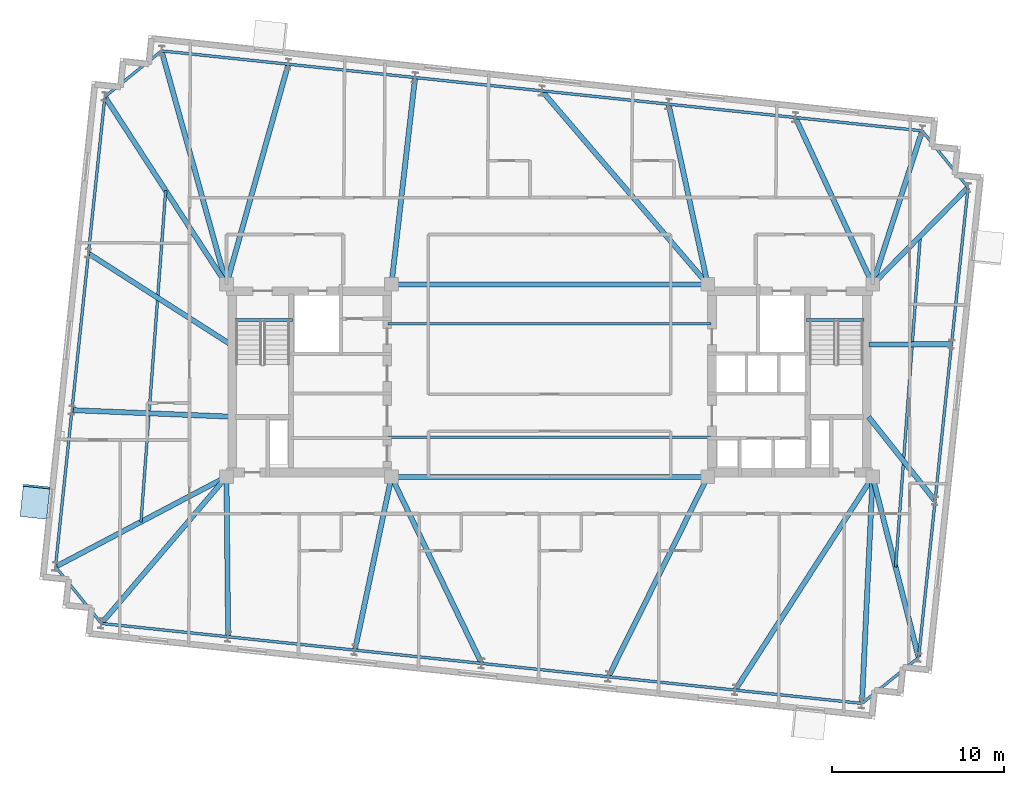
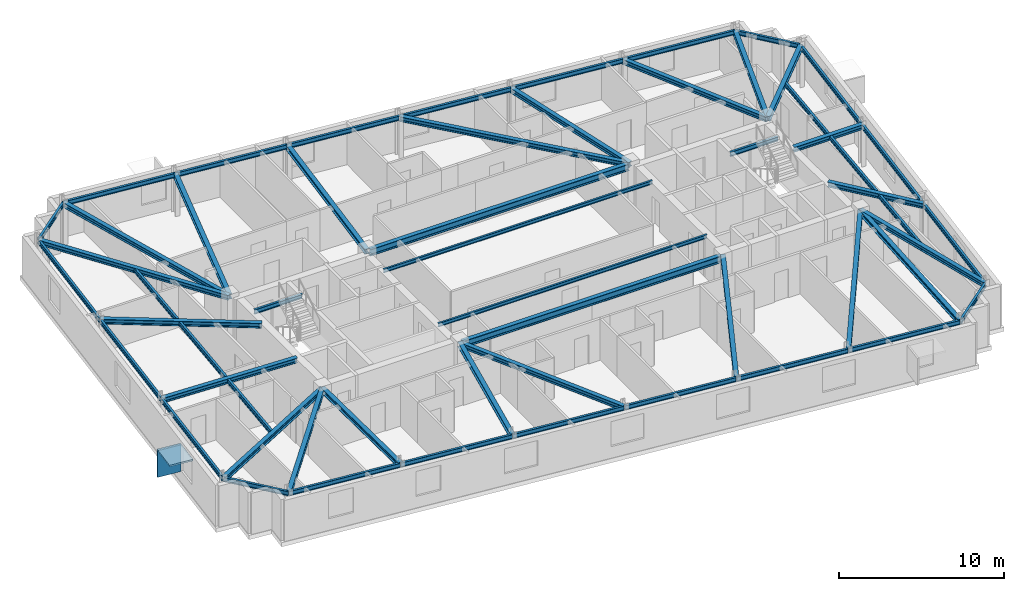
# One storey, part 4 of 11: 52 beams, 2 plates.
"""IFC4 building model written with IfcOpenShell, lengths in metres."""

from ifc_helpers import new_model, si_unit, direction, frame, origin, origin_2d, place, context, subcontext, project, spatial, rectangle, i_section, extrude, material, layer, layer_set, material_profile, profile_set, type_object, element, save


model = new_model("IFC4")

# Units and contexts
model_context = context("Model", 3, precision=1e-05, world=origin(), true_north=direction((0.0, 1.0)))
body_context = subcontext(model_context, "Body", "Model", "MODEL_VIEW")
ifc_project = project(units=[si_unit("LENGTHUNIT", "METRE"), si_unit("AREAUNIT", "SQUARE_METRE"), si_unit("VOLUMEUNIT", "CUBIC_METRE"), si_unit("PLANEANGLEUNIT", "RADIAN"), si_unit("MASSUNIT", "GRAM", prefix="KILO")], contexts=[model_context])

# Site, building, storey
site_placement = place(None, origin())
site = spatial("IfcSite", under=ifc_project, at=site_placement, CompositionType="ELEMENT")
building_placement = place(site_placement, origin())
building = spatial("IfcBuilding", under=site, at=building_placement, Name="Qobustan Lattice House", CompositionType="ELEMENT")
storey_placement = place(building_placement, frame((0.0, 0.0, 206.449951171875)))
storey = spatial("IfcBuildingStorey", under=building, at=storey_placement, Name="L58", CompositionType="ELEMENT", Elevation=206.449951171875)

# Beams
ifc_material_1 = material(Name="Steel S355", Category="steel")
ifc_material_profile_1 = material_profile(ifc_material_1, i_section(OverallWidth=0.300048828125, OverallDepth=0.5, WebThickness=0.014404296875, FlangeThickness=0.028076171875, FilletRadius=0.027099609375, at=origin_2d()), Name="HEB500")
ifc_profile_set_1 = profile_set([ifc_material_profile_1], Name="Steel S355")
beam_type_1 = type_object("IfcBeamType", Name="BM-CG-HEB500", PredefinedType="USERDEFINED", material=ifc_profile_set_1)
for number, where, z_axis, x_axis, name in (
    (1, (-9.050048828125, -5.60009765625, 2.7900390625), (1.0, 0.0, 0.0), (0.0, 1.0, 0.0), "L58 core spine girder CG-CS"),
    (2, (-9.050048828125, 5.60009765625, 2.7900390625), (1.0, 0.0, 0.0), (0.0, 1.0, 0.0), "L58 core spine girder CG-CN"),
):
    element("IfcBeam", number, at=place(storey_placement, frame(where, z_axis=z_axis, x_axis=x_axis)), inside=storey, type_object=beam_type_1, Name=name, ObjectType="GIRDER", PredefinedType="USERDEFINED", context=body_context, shape_type="SweptSolid", body=[
        extrude(i_section(OverallWidth=0.300048828125, OverallDepth=0.5, WebThickness=0.014404296875, FlangeThickness=0.028076171875, FilletRadius=0.027099609375, at=origin_2d()), origin(), (0.0, 0.0, 1.0), 18.10009765625),
    ])
ifc_material_2 = material(Name="Steel S355", Category="steel")
ifc_material_profile_2 = material_profile(ifc_material_2, i_section(OverallWidth=0.300048828125, OverallDepth=0.360107421875, WebThickness=0.012451171875, FlangeThickness=0.0224609375, FilletRadius=0.027099609375, at=origin_2d()), Name="HEB360")
ifc_profile_set_2 = profile_set([ifc_material_profile_2], Name="Steel S355")
beam_type_2 = type_object("IfcBeamType", Name="BM-FLG-HEB360", PredefinedType="USERDEFINED", material=ifc_profile_set_2)
beam_1_placement = place(storey_placement, frame((-26.062744140625, -14.113525390625, 2.860107421875), z_axis=(0.649006911642, 0.760782510736, 0.0), x_axis=(-0.760782510736, 0.649006911642, 0.0)))
element("IfcBeam", 3, at=beam_1_placement, inside=storey, type_object=beam_type_2, Name="L58 primary floor girder RAD-S1W", ObjectType="GIRDER", PredefinedType="USERDEFINED", context=body_context, shape_type="SweptSolid", body=[
    extrude(i_section(OverallWidth=0.300048828125, OverallDepth=0.360107421875, WebThickness=0.012451171875, FlangeThickness=0.0224609375, FilletRadius=0.027099609375, at=origin_2d()), origin(), (0.0, 0.0, 1.0), 11.16552734375),
])
beam_2_placement = place(storey_placement, frame((-18.703125, -14.8828125, 2.860107421875), z_axis=(-0.010442468578, 0.999945475939, 0.0), x_axis=(-0.999945475939, -0.010442468578, 0.0)))
element("IfcBeam", 4, at=beam_2_placement, inside=storey, type_object=beam_type_2, Name="L58 primary floor girder RAD-S2", ObjectType="GIRDER", PredefinedType="USERDEFINED", context=body_context, shape_type="SweptSolid", body=[
    extrude(i_section(OverallWidth=0.300048828125, OverallDepth=0.360107421875, WebThickness=0.012451171875, FlangeThickness=0.0224609375, FilletRadius=0.027099609375, at=origin_2d()), origin(), (0.0, 0.0, 1.0), 9.25830078125),
])
beam_3_placement = place(storey_placement, frame((-11.32177734375, -15.658447265625, 2.860107421875), z_axis=(0.206411213198, 0.978465334627, 0.0), x_axis=(-0.978465334627, 0.206411213198, 0.0)))
element("IfcBeam", 5, at=beam_3_placement, inside=storey, type_object=beam_type_2, Name="L58 primary floor girder RAD-S3", ObjectType="GIRDER", PredefinedType="USERDEFINED", context=body_context, shape_type="SweptSolid", body=[
    extrude(i_section(OverallWidth=0.300048828125, OverallDepth=0.360107421875, WebThickness=0.012451171875, FlangeThickness=0.0224609375, FilletRadius=0.027099609375, at=origin_2d()), origin(), (0.0, 0.0, 1.0), 10.2548828125),
])
beam_4_placement = place(storey_placement, frame((-3.9619140625, -16.435791015625, 2.860107421875), z_axis=(-0.435229353302, 0.900319615483, 0.0), x_axis=(-0.900319615483, -0.435229353302, 0.0)))
element("IfcBeam", 6, at=beam_4_placement, inside=storey, type_object=beam_type_2, Name="L58 primary floor girder RAD-S4", ObjectType="GIRDER", PredefinedType="USERDEFINED", context=body_context, shape_type="SweptSolid", body=[
    extrude(i_section(OverallWidth=0.300048828125, OverallDepth=0.360107421875, WebThickness=0.012451171875, FlangeThickness=0.0224609375, FilletRadius=0.027099609375, at=origin_2d()), origin(), (0.0, 0.0, 1.0), 12.010498046875),
])
beam_5_placement = place(storey_placement, frame((3.436279296875, -17.211181640625, 2.860107421875), z_axis=(0.444630337125, 0.895714163843, 0.0), x_axis=(-0.895714163843, 0.444630337125, 0.0)))
element("IfcBeam", 7, at=beam_5_placement, inside=storey, type_object=beam_type_2, Name="L58 primary floor girder RAD-S5", ObjectType="GIRDER", PredefinedType="USERDEFINED", context=body_context, shape_type="SweptSolid", body=[
    extrude(i_section(OverallWidth=0.300048828125, OverallDepth=0.360107421875, WebThickness=0.012451171875, FlangeThickness=0.0224609375, FilletRadius=0.027099609375, at=origin_2d()), origin(), (0.0, 0.0, 1.0), 12.938232421875),
])
beam_6_placement = place(storey_placement, frame((10.814697265625, -17.98779296875, 2.860107421875), z_axis=(0.541810491961, 0.840500678644, 0.0), x_axis=(-0.840500678644, 0.541810491961, 0.0)))
element("IfcBeam", 8, at=beam_6_placement, inside=storey, type_object=beam_type_2, Name="L58 primary floor girder RAD-S6", ObjectType="GIRDER", PredefinedType="USERDEFINED", context=body_context, shape_type="SweptSolid", body=[
    extrude(i_section(OverallWidth=0.300048828125, OverallDepth=0.360107421875, WebThickness=0.012451171875, FlangeThickness=0.0224609375, FilletRadius=0.027099609375, at=origin_2d()), origin(), (0.0, 0.0, 1.0), 14.71337890625),
])
beam_7_placement = place(storey_placement, frame((18.178466796875, -18.759033203125, 2.860107421875), z_axis=(0.047180517312, 0.998886379318, 0.0), x_axis=(-0.998886379318, 0.047180517312, 0.0)))
element("IfcBeam", 9, at=beam_7_placement, inside=storey, type_object=beam_type_2, Name="L58 primary floor girder RAD-S7E", ObjectType="GIRDER", PredefinedType="USERDEFINED", context=body_context, shape_type="SweptSolid", body=[
    extrude(i_section(OverallWidth=0.300048828125, OverallDepth=0.360107421875, WebThickness=0.012451171875, FlangeThickness=0.0224609375, FilletRadius=0.027099609375, at=origin_2d()), origin(), (0.0, 0.0, 1.0), 13.148681640625),
])
beam_8_placement = place(storey_placement, frame((-22.570556640625, 19.159912109375, 2.860107421875), z_axis=(0.267904661715, -0.963445427739, 0.0), x_axis=(0.963445427739, 0.267904661715, 0.0)))
element("IfcBeam", 10, at=beam_8_placement, inside=storey, type_object=beam_type_2, Name="L58 primary floor girder RAD-N7W", ObjectType="GIRDER", PredefinedType="USERDEFINED", context=body_context, shape_type="SweptSolid", body=[
    extrude(i_section(OverallWidth=0.300048828125, OverallDepth=0.360107421875, WebThickness=0.012451171875, FlangeThickness=0.0224609375, FilletRadius=0.027099609375, at=origin_2d()), origin(), (0.0, 0.0, 1.0), 14.049560546875),
])
beam_9_placement = place(storey_placement, frame((-15.2080078125, 18.384521484375, 2.860107421875), z_axis=(-0.270487929903, -0.962723366174, 0.0), x_axis=(0.962723366174, -0.270487929903, 0.0)))
element("IfcBeam", 11, at=beam_9_placement, inside=storey, type_object=beam_type_2, Name="L58 primary floor girder RAD-N6", ObjectType="GIRDER", PredefinedType="USERDEFINED", context=body_context, shape_type="SweptSolid", body=[
    extrude(i_section(OverallWidth=0.300048828125, OverallDepth=0.360107421875, WebThickness=0.012451171875, FlangeThickness=0.0224609375, FilletRadius=0.027099609375, at=origin_2d()), origin(), (0.0, 0.0, 1.0), 13.254638671875),
])
beam_10_placement = place(storey_placement, frame((-7.827880859375, 17.608642578125, 2.860107421875), z_axis=(-0.11353003651, -0.993534564477, 0.0), x_axis=(0.993534564477, -0.11353003651, 0.0)))
element("IfcBeam", 12, at=beam_10_placement, inside=storey, type_object=beam_type_2, Name="L58 primary floor girder RAD-N5", ObjectType="GIRDER", PredefinedType="USERDEFINED", context=body_context, shape_type="SweptSolid", body=[
    extrude(i_section(OverallWidth=0.300048828125, OverallDepth=0.360107421875, WebThickness=0.012451171875, FlangeThickness=0.0224609375, FilletRadius=0.027099609375, at=origin_2d()), origin(), (0.0, 0.0, 1.0), 12.061767578125),
])
beam_11_placement = place(storey_placement, frame((-0.432861328125, 16.839111328125, 2.860107421875), z_axis=(0.650757358368, -0.759285756833, 0.0), x_axis=(0.759285756833, 0.650757358368, 0.0)))
element("IfcBeam", 13, at=beam_11_placement, inside=storey, type_object=beam_type_2, Name="L58 primary floor girder RAD-N4", ObjectType="GIRDER", PredefinedType="USERDEFINED", context=body_context, shape_type="SweptSolid", body=[
    extrude(i_section(OverallWidth=0.300048828125, OverallDepth=0.360107421875, WebThickness=0.012451171875, FlangeThickness=0.0224609375, FilletRadius=0.027099609375, at=origin_2d()), origin(), (0.0, 0.0, 1.0), 14.77734375),
])
beam_12_placement = place(storey_placement, frame((6.93212890625, 16.05859375, 2.860107421875), z_axis=(0.211908420044, -0.977289527988, 0.0), x_axis=(0.977289527988, 0.211908420044, 0.0)))
element("IfcBeam", 14, at=beam_12_placement, inside=storey, type_object=beam_type_2, Name="L58 primary floor girder RAD-N3", ObjectType="GIRDER", PredefinedType="USERDEFINED", context=body_context, shape_type="SweptSolid", body=[
    extrude(i_section(OverallWidth=0.300048828125, OverallDepth=0.360107421875, WebThickness=0.012451171875, FlangeThickness=0.0224609375, FilletRadius=0.027099609375, at=origin_2d()), origin(), (0.0, 0.0, 1.0), 10.676513671875),
])
beam_13_placement = place(storey_placement, frame((14.3134765625, 15.284912109375, 2.860107421875), z_axis=(0.420345924661, -0.907363931188, 0.0), x_axis=(0.907363931188, 0.420345924661, 0.0)))
element("IfcBeam", 15, at=beam_13_placement, inside=storey, type_object=beam_type_2, Name="L58 primary floor girder RAD-N2", ObjectType="GIRDER", PredefinedType="USERDEFINED", context=body_context, shape_type="SweptSolid", body=[
    extrude(i_section(OverallWidth=0.300048828125, OverallDepth=0.360107421875, WebThickness=0.012451171875, FlangeThickness=0.0224609375, FilletRadius=0.027099609375, at=origin_2d()), origin(), (0.0, 0.0, 1.0), 10.6484375),
])
beam_14_placement = place(storey_placement, frame((21.67138671875, 14.5087890625, 2.860107421875), z_axis=(-0.306773532579, -0.951782538035, 0.0), x_axis=(0.951782538035, -0.306773532579, 0.0)))
element("IfcBeam", 16, at=beam_14_placement, inside=storey, type_object=beam_type_2, Name="L58 primary floor girder RAD-N1E", ObjectType="GIRDER", PredefinedType="USERDEFINED", context=body_context, shape_type="SweptSolid", body=[
    extrude(i_section(OverallWidth=0.300048828125, OverallDepth=0.360107421875, WebThickness=0.012451171875, FlangeThickness=0.0224609375, FilletRadius=0.027099609375, at=origin_2d()), origin(), (0.0, 0.0, 1.0), 9.335205078125),
])
beam_15_placement = place(storey_placement, frame((-25.86083984375, 16.492919921875, 2.860107421875), z_axis=(0.543926170046, -0.839133077371, 0.0), x_axis=(0.839133077371, 0.543926170046, 0.0)))
element("IfcBeam", 17, at=beam_15_placement, inside=storey, type_object=beam_type_2, Name="L58 primary floor girder RAD-W1", ObjectType="GIRDER", PredefinedType="USERDEFINED", context=body_context, shape_type="SweptSolid", body=[
    extrude(i_section(OverallWidth=0.300048828125, OverallDepth=0.360107421875, WebThickness=0.012451171875, FlangeThickness=0.0224609375, FilletRadius=0.027099609375, at=origin_2d()), origin(), (0.0, 0.0, 1.0), 12.9560546875),
])
beam_16_placement = place(storey_placement, frame((-26.8115234375, 7.384033203125, 2.860107421875), z_axis=(0.842429105495, -0.538807203195, 0.0), x_axis=(0.538807203195, 0.842429105495, 0.0)))
element("IfcBeam", 18, at=beam_16_placement, inside=storey, type_object=beam_type_2, Name="L58 primary floor girder RAD-W2", ObjectType="GIRDER", PredefinedType="USERDEFINED", context=body_context, shape_type="SweptSolid", body=[
    extrude(i_section(OverallWidth=0.300048828125, OverallDepth=0.360107421875, WebThickness=0.012451171875, FlangeThickness=0.0224609375, FilletRadius=0.027099609375, at=origin_2d()), origin(), (0.0, 0.0, 1.0), 9.78173828125),
])
beam_17_placement = place(storey_placement, frame((-27.765869140625, -1.719970703125, 2.860107421875), z_axis=(0.999150190925, -0.041217665795, 0.0), x_axis=(0.041217665795, 0.999150190925, 0.0)))
element("IfcBeam", 19, at=beam_17_placement, inside=storey, type_object=beam_type_2, Name="L58 primary floor girder RAD-W3", ObjectType="GIRDER", PredefinedType="USERDEFINED", context=body_context, shape_type="SweptSolid", body=[
    extrude(i_section(OverallWidth=0.300048828125, OverallDepth=0.360107421875, WebThickness=0.012451171875, FlangeThickness=0.0224609375, FilletRadius=0.027099609375, at=origin_2d()), origin(), (0.0, 0.0, 1.0), 9.19873046875),
])
beam_18_placement = place(storey_placement, frame((-28.726806640625, -10.82373046875, 2.860107421875), z_axis=(0.884950868639, 0.465684399669, 0.0), x_axis=(-0.465684399669, 0.884950868639, 0.0)))
element("IfcBeam", 20, at=beam_18_placement, inside=storey, type_object=beam_type_2, Name="L58 primary floor girder RAD-W4", ObjectType="GIRDER", PredefinedType="USERDEFINED", context=body_context, shape_type="SweptSolid", body=[
    extrude(i_section(OverallWidth=0.300048828125, OverallDepth=0.360107421875, WebThickness=0.012451171875, FlangeThickness=0.0224609375, FilletRadius=0.027099609375, at=origin_2d()), origin(), (0.0, 0.0, 1.0), 11.1923828125),
])
beam_19_placement = place(storey_placement, frame((24.331298828125, 11.217529296875, 2.860107421875), z_axis=(-0.701633616284, -0.712537906712, 0.0), x_axis=(0.712537906712, -0.701633616284, 0.0)))
element("IfcBeam", 21, at=beam_19_placement, inside=storey, type_object=beam_type_2, Name="L58 primary floor girder RAD-E4", ObjectType="GIRDER", PredefinedType="USERDEFINED", context=body_context, shape_type="SweptSolid", body=[
    extrude(i_section(OverallWidth=0.300048828125, OverallDepth=0.360107421875, WebThickness=0.012451171875, FlangeThickness=0.0224609375, FilletRadius=0.027099609375, at=origin_2d()), origin(), (0.0, 0.0, 1.0), 7.858642578125),
])
beam_20_placement = place(storey_placement, frame((23.36572265625, 2.118896484375, 2.860107421875), z_axis=(-0.999992301331, -0.003923936564, 0.0), x_axis=(0.003923936564, -0.999992301331, 0.0)))
element("IfcBeam", 22, at=beam_20_placement, inside=storey, type_object=beam_type_2, Name="L58 primary floor girder RAD-E3", ObjectType="GIRDER", PredefinedType="USERDEFINED", context=body_context, shape_type="SweptSolid", body=[
    extrude(i_section(OverallWidth=0.300048828125, OverallDepth=0.360107421875, WebThickness=0.012451171875, FlangeThickness=0.0224609375, FilletRadius=0.027099609375, at=origin_2d()), origin(), (0.0, 0.0, 1.0), 4.790771484375),
])
beam_21_placement = place(storey_placement, frame((22.4169921875, -6.97802734375, 2.860107421875), z_axis=(-0.621231320857, 0.783627236629, 0.0), x_axis=(-0.783627236629, -0.621231320857, 0.0)))
element("IfcBeam", 23, at=beam_21_placement, inside=storey, type_object=beam_type_2, Name="L58 primary floor girder RAD-E2", ObjectType="GIRDER", PredefinedType="USERDEFINED", context=body_context, shape_type="SweptSolid", body=[
    extrude(i_section(OverallWidth=0.300048828125, OverallDepth=0.360107421875, WebThickness=0.012451171875, FlangeThickness=0.0224609375, FilletRadius=0.027099609375, at=origin_2d()), origin(), (0.0, 0.0, 1.0), 6.199951171875),
])
beam_22_placement = place(storey_placement, frame((21.46826171875, -16.08984375, 2.860107421875), z_axis=(-0.246517911643, 0.969138235361, 0.0), x_axis=(-0.969138235361, -0.246517911643, 0.0)))
element("IfcBeam", 24, at=beam_22_placement, inside=storey, type_object=beam_type_2, Name="L58 primary floor girder RAD-E1", ObjectType="GIRDER", PredefinedType="USERDEFINED", context=body_context, shape_type="SweptSolid", body=[
    extrude(i_section(OverallWidth=0.300048828125, OverallDepth=0.360107421875, WebThickness=0.012451171875, FlangeThickness=0.0224609375, FilletRadius=0.027099609375, at=origin_2d()), origin(), (0.0, 0.0, 1.0), 10.798828125),
])
ifc_material_3 = material(Name="Steel S355", Category="steel")
ifc_material_profile_3 = material_profile(ifc_material_3, i_section(OverallWidth=0.135009765625, OverallDepth=0.27001953125, WebThickness=0.006591796875, FlangeThickness=0.01025390625, FilletRadius=0.014892578125, at=origin_2d()), Name="IPE270")
ifc_profile_set_3 = profile_set([ifc_material_profile_3], Name="Steel S355")
beam_type_3 = type_object("IfcBeamType", Name="BM-JST-IPE270", PredefinedType="JOIST", material=ifc_profile_set_3)
for number, where, z_axis, x_axis, name in (
    (25, (-9.39990234375, -3.300048828125, 2.905029296875), (1.0, 0.0, 0.0), (0.0, 1.0, 0.0), "L58 central span floor joist 1"),
    (26, (-9.39990234375, 3.300048828125, 2.905029296875), (1.0, 0.0, 0.0), (0.0, 1.0, 0.0), "L58 central span floor joist 2"),
):
    element("IfcBeam", number, at=place(storey_placement, frame(where, z_axis=z_axis, x_axis=x_axis)), inside=storey, type_object=beam_type_3, Name=name, PredefinedType="JOIST", context=body_context, shape_type="SweptSolid", body=[
        extrude(i_section(OverallWidth=0.135009765625, OverallDepth=0.27001953125, WebThickness=0.006591796875, FlangeThickness=0.01025390625, FilletRadius=0.014892578125, at=origin_2d()), origin(), (0.0, 0.0, 1.0), 18.7998046875),
    ])
ifc_material_4 = material(Name="Steel S355", Category="steel")
ifc_material_profile_4 = material_profile(ifc_material_4, i_section(OverallWidth=0.159912109375, OverallDepth=0.330078125, WebThickness=0.007568359375, FlangeThickness=0.011474609375, FilletRadius=0.01806640625, at=origin_2d()), Name="IPE330")
ifc_profile_set_4 = profile_set([ifc_material_profile_4], Name="Steel S355")
beam_type_4 = type_object("IfcBeamType", Name="BM-SEC-IPE330", PredefinedType="BEAM", material=ifc_profile_set_4)
beam_23_placement = place(storey_placement, frame((-22.337158203125, 11.056884765625, 2.875), z_axis=(-0.074361616657, -0.997231342251, 0.0), x_axis=(0.997231342251, -0.074361616657, 0.0)))
element("IfcBeam", 27, at=beam_23_placement, inside=storey, type_object=beam_type_4, Name="L58 west wing secondary beam", PredefinedType="BEAM", context=body_context, shape_type="SweptSolid", body=[
    extrude(i_section(OverallWidth=0.159912109375, OverallDepth=0.330078125, WebThickness=0.007568359375, FlangeThickness=0.011474609375, FilletRadius=0.01806640625, at=origin_2d()), origin(), (0.0, 0.0, 1.0), 19.327880859375),
])
beam_24_placement = place(storey_placement, frame((21.574462890625, 8.417724609375, 2.875), z_axis=(-0.074360679971, -0.997231412098, 0.0), x_axis=(0.997231412098, -0.074360679971, 0.0)))
element("IfcBeam", 28, at=beam_24_placement, inside=storey, type_object=beam_type_4, Name="L58 east wing secondary beam", PredefinedType="BEAM", context=body_context, shape_type="SweptSolid", body=[
    extrude(i_section(OverallWidth=0.159912109375, OverallDepth=0.330078125, WebThickness=0.007568359375, FlangeThickness=0.011474609375, FilletRadius=0.01806640625, at=origin_2d()), origin(), (0.0, 0.0, 1.0), 19.328125),
])
ifc_material_5 = material(Name="Steel S355", Category="steel")
ifc_material_profile_5 = material_profile(ifc_material_5, i_section(OverallWidth=0.159912109375, OverallDepth=0.330078125, WebThickness=0.007568359375, FlangeThickness=0.011474609375, FilletRadius=0.01806640625, at=origin_2d()), Name="IPE330")
ifc_profile_set_5 = profile_set([ifc_material_profile_5], Name="Steel S355")
beam_type_5 = type_object("IfcBeamType", Name="BM-SPD-IPE330", PredefinedType="SPANDREL", material=ifc_profile_set_5)
for number, where, z_axis, x_axis, name in (
    (29, (-18.300048828125, 3.52001953125, 2.875), (1.0, 0.0, 0.0), (0.0, 1.0, 0.0), "L58 west stair landing trimmer beam"),
    (30, (14.949951171875, 3.52001953125, 2.875), (1.0, 0.0, 0.0), (0.0, 1.0, 0.0), "L58 east stair landing trimmer beam"),
):
    element("IfcBeam", number, at=place(storey_placement, frame(where, z_axis=z_axis, x_axis=x_axis)), inside=storey, type_object=beam_type_5, Name=name, PredefinedType="SPANDREL", context=body_context, shape_type="SweptSolid", body=[
        extrude(i_section(OverallWidth=0.159912109375, OverallDepth=0.330078125, WebThickness=0.007568359375, FlangeThickness=0.011474609375, FilletRadius=0.01806640625, at=origin_2d()), origin(), (0.0, 0.0, 1.0), 3.35009765625),
    ])
beam_25_placement = place(storey_placement, frame((-26.05419921875, -14.135009765625, 2.875), z_axis=(0.99452214685, -0.104526070551, 0.0), x_axis=(0.104526070551, 0.99452214685, 0.0)))
element("IfcBeam", 31, at=beam_25_placement, inside=storey, type_object=beam_type_5, Name="L58 perimeter spandrel S1-S2", PredefinedType="SPANDREL", context=body_context, shape_type="SweptSolid", body=[
    extrude(i_section(OverallWidth=0.159912109375, OverallDepth=0.330078125, WebThickness=0.007568359375, FlangeThickness=0.011474609375, FilletRadius=0.01806640625, at=origin_2d()), origin(), (0.0, 0.0, 1.0), 7.36669921875),
])
for number, where, z_axis, x_axis, name in (
    (32, (-18.677978515625, -14.910400390625, 2.875), (0.994521784746, -0.104529515765, 0.0), (0.104529515765, 0.994521784746, 0.0), "L58 perimeter spandrel S2-S3"),
    (33, (-11.302001953125, -15.685546875, 2.875), (0.994521784746, -0.104529515765, 0.0), (0.104529515765, 0.994521784746, 0.0), "L58 perimeter spandrel S3-S4"),
):
    element("IfcBeam", number, at=place(storey_placement, frame(where, z_axis=z_axis, x_axis=x_axis)), inside=storey, type_object=beam_type_5, Name=name, PredefinedType="SPANDREL", context=body_context, shape_type="SweptSolid", body=[
        extrude(i_section(OverallWidth=0.159912109375, OverallDepth=0.330078125, WebThickness=0.007568359375, FlangeThickness=0.011474609375, FilletRadius=0.01806640625, at=origin_2d()), origin(), (0.0, 0.0, 1.0), 7.366455078125),
    ])
beam_26_placement = place(storey_placement, frame((-3.926025390625, -16.460693359375, 2.875), z_axis=(0.99451870122, -0.10455884909, 0.0), x_axis=(0.10455884909, 0.99451870122, 0.0)))
element("IfcBeam", 34, at=beam_26_placement, inside=storey, type_object=beam_type_5, Name="L58 perimeter spandrel S4-S5", PredefinedType="SPANDREL", context=body_context, shape_type="SweptSolid", body=[
    extrude(i_section(OverallWidth=0.159912109375, OverallDepth=0.330078125, WebThickness=0.007568359375, FlangeThickness=0.011474609375, FilletRadius=0.01806640625, at=origin_2d()), origin(), (0.0, 0.0, 1.0), 7.36669921875),
])
for number, where, z_axis, x_axis, name in (
    (35, (3.4501953125, -17.236083984375, 2.875), (0.994521784746, -0.104529515765, 0.0), (0.104529515765, 0.994521784746, 0.0), "L58 perimeter spandrel S5-S6"),
    (36, (10.826171875, -18.01123046875, 2.875), (0.99451833889, -0.104562295361, 0.0), (0.104562295361, 0.99451833889, 0.0), "L58 perimeter spandrel S6-S7"),
):
    element("IfcBeam", number, at=place(storey_placement, frame(where, z_axis=z_axis, x_axis=x_axis)), inside=storey, type_object=beam_type_5, Name=name, PredefinedType="SPANDREL", context=body_context, shape_type="SweptSolid", body=[
        extrude(i_section(OverallWidth=0.159912109375, OverallDepth=0.330078125, WebThickness=0.007568359375, FlangeThickness=0.011474609375, FilletRadius=0.01806640625, at=origin_2d()), origin(), (0.0, 0.0, 1.0), 7.366455078125),
    ])
beam_27_placement = place(storey_placement, frame((18.19677734375, -18.768310546875, 2.875), z_axis=(0.777128239225, 0.629342275554, 0.0), x_axis=(-0.629342275554, 0.777128239225, 0.0)))
element("IfcBeam", 37, at=beam_27_placement, inside=storey, type_object=beam_type_5, Name="L58 perimeter spandrel S7-E1", PredefinedType="SPANDREL", context=body_context, shape_type="SweptSolid", body=[
    extrude(i_section(OverallWidth=0.159912109375, OverallDepth=0.330078125, WebThickness=0.007568359375, FlangeThickness=0.011474609375, FilletRadius=0.01806640625, at=origin_2d()), origin(), (0.0, 0.0, 1.0), 4.192626953125),
])
for number, where, z_axis, x_axis, name in (
    (38, (21.47705078125, -16.089111328125, 2.875), (0.10452168293, 0.994522607987, 0.0), (-0.994522607987, 0.10452168293, 0.0), "L58 perimeter spandrel E1-E2"),
    (39, (22.435302734375, -6.97265625, 2.875), (0.10452168293, 0.994522607987, 0.0), (-0.994522607987, 0.10452168293, 0.0), "L58 perimeter spandrel E2-E3"),
    (40, (23.393310546875, 2.143798828125, 2.875), (0.10452168293, 0.994522607987, 0.0), (-0.994522607987, 0.10452168293, 0.0), "L58 perimeter spandrel E3-E4"),
):
    element("IfcBeam", number, at=place(storey_placement, frame(where, z_axis=z_axis, x_axis=x_axis)), inside=storey, type_object=beam_type_5, Name=name, PredefinedType="SPANDREL", context=body_context, shape_type="SweptSolid", body=[
        extrude(i_section(OverallWidth=0.159912109375, OverallDepth=0.330078125, WebThickness=0.007568359375, FlangeThickness=0.011474609375, FilletRadius=0.01806640625, at=origin_2d()), origin(), (0.0, 0.0, 1.0), 9.11669921875),
    ])
beam_28_placement = place(storey_placement, frame((24.333251953125, 11.254638671875, 2.875), z_axis=(-0.629313797654, 0.777151300637, 0.0), x_axis=(-0.777151300637, -0.629313797654, 0.0)))
element("IfcBeam", 41, at=beam_28_placement, inside=storey, type_object=beam_type_5, Name="L58 perimeter spandrel E4-N1", PredefinedType="SPANDREL", context=body_context, shape_type="SweptSolid", body=[
    extrude(i_section(OverallWidth=0.159912109375, OverallDepth=0.330078125, WebThickness=0.007568359375, FlangeThickness=0.011474609375, FilletRadius=0.01806640625, at=origin_2d()), origin(), (0.0, 0.0, 1.0), 4.19287109375),
])
for number, where, z_axis, x_axis, name in (
    (42, (21.654052734375, 14.53515625, 2.875), (-0.994521784746, 0.104529515765, 0.0), (-0.104529515765, -0.994521784746, 0.0), "L58 perimeter spandrel N1-N2"),
    (43, (14.278076171875, 15.310302734375, 2.875), (-0.994521784746, 0.104529515765, 0.0), (-0.104529515765, -0.994521784746, 0.0), "L58 perimeter spandrel N2-N3"),
):
    element("IfcBeam", number, at=place(storey_placement, frame(where, z_axis=z_axis, x_axis=x_axis)), inside=storey, type_object=beam_type_5, Name=name, PredefinedType="SPANDREL", context=body_context, shape_type="SweptSolid", body=[
        extrude(i_section(OverallWidth=0.159912109375, OverallDepth=0.330078125, WebThickness=0.007568359375, FlangeThickness=0.011474609375, FilletRadius=0.01806640625, at=origin_2d()), origin(), (0.0, 0.0, 1.0), 7.366455078125),
    ])
beam_29_placement = place(storey_placement, frame((6.902099609375, 16.085693359375, 2.875), z_axis=(-0.99452214685, 0.104526070551, 0.0), x_axis=(-0.104526070551, -0.99452214685, 0.0)))
element("IfcBeam", 44, at=beam_29_placement, inside=storey, type_object=beam_type_5, Name="L58 perimeter spandrel N3-N4", PredefinedType="SPANDREL", context=body_context, shape_type="SweptSolid", body=[
    extrude(i_section(OverallWidth=0.159912109375, OverallDepth=0.330078125, WebThickness=0.007568359375, FlangeThickness=0.011474609375, FilletRadius=0.01806640625, at=origin_2d()), origin(), (0.0, 0.0, 1.0), 7.36669921875),
])
for number, where, z_axis, x_axis, name in (
    (45, (-0.47412109375, 16.86083984375, 2.875), (-0.994521784746, 0.104529515765, 0.0), (-0.104529515765, -0.994521784746, 0.0), "L58 perimeter spandrel N4-N5"),
    (46, (-7.85009765625, 17.635986328125, 2.875), (-0.994521784746, 0.104529515765, 0.0), (-0.104529515765, -0.994521784746, 0.0), "L58 perimeter spandrel N5-N6"),
):
    element("IfcBeam", number, at=place(storey_placement, frame(where, z_axis=z_axis, x_axis=x_axis)), inside=storey, type_object=beam_type_5, Name=name, PredefinedType="SPANDREL", context=body_context, shape_type="SweptSolid", body=[
        extrude(i_section(OverallWidth=0.159912109375, OverallDepth=0.330078125, WebThickness=0.007568359375, FlangeThickness=0.011474609375, FilletRadius=0.01806640625, at=origin_2d()), origin(), (0.0, 0.0, 1.0), 7.366455078125),
    ])
beam_30_placement = place(storey_placement, frame((-15.22607421875, 18.411376953125, 2.875), z_axis=(-0.99452214685, 0.104526070551, 0.0), x_axis=(-0.104526070551, -0.99452214685, 0.0)))
element("IfcBeam", 47, at=beam_30_placement, inside=storey, type_object=beam_type_5, Name="L58 perimeter spandrel N6-N7", PredefinedType="SPANDREL", context=body_context, shape_type="SweptSolid", body=[
    extrude(i_section(OverallWidth=0.159912109375, OverallDepth=0.330078125, WebThickness=0.007568359375, FlangeThickness=0.011474609375, FilletRadius=0.01806640625, at=origin_2d()), origin(), (0.0, 0.0, 1.0), 7.36669921875),
])
beam_31_placement = place(storey_placement, frame((-22.5966796875, 19.168212890625, 2.875), z_axis=(-0.777156718239, -0.629307107299, 0.0), x_axis=(0.629307107299, -0.777156718239, 0.0)))
element("IfcBeam", 48, at=beam_31_placement, inside=storey, type_object=beam_type_5, Name="L58 perimeter spandrel N7-W1", PredefinedType="SPANDREL", context=body_context, shape_type="SweptSolid", body=[
    extrude(i_section(OverallWidth=0.159912109375, OverallDepth=0.330078125, WebThickness=0.007568359375, FlangeThickness=0.011474609375, FilletRadius=0.01806640625, at=origin_2d()), origin(), (0.0, 0.0, 1.0), 4.192626953125),
])
beam_32_placement = place(storey_placement, frame((-25.876953125, 16.489013671875, 2.875), z_axis=(-0.104550954592, -0.994519531178, 0.0), x_axis=(0.994519531178, -0.104550954592, 0.0)))
element("IfcBeam", 49, at=beam_32_placement, inside=storey, type_object=beam_type_5, Name="L58 perimeter spandrel W1-W2", PredefinedType="SPANDREL", context=body_context, shape_type="SweptSolid", body=[
    extrude(i_section(OverallWidth=0.159912109375, OverallDepth=0.330078125, WebThickness=0.007568359375, FlangeThickness=0.011474609375, FilletRadius=0.01806640625, at=origin_2d()), origin(), (0.0, 0.0, 1.0), 9.116455078125),
])
beam_33_placement = place(storey_placement, frame((-26.835205078125, 7.372802734375, 2.875), z_axis=(-0.104518899262, -0.994522900539, 0.0), x_axis=(0.994522900539, -0.104518899262, 0.0)))
element("IfcBeam", 50, at=beam_33_placement, inside=storey, type_object=beam_type_5, Name="L58 perimeter spandrel W2-W3", PredefinedType="SPANDREL", context=body_context, shape_type="SweptSolid", body=[
    extrude(i_section(OverallWidth=0.159912109375, OverallDepth=0.330078125, WebThickness=0.007568359375, FlangeThickness=0.011474609375, FilletRadius=0.01806640625, at=origin_2d()), origin(), (0.0, 0.0, 1.0), 9.116943359375),
])
beam_34_placement = place(storey_placement, frame((-27.79345703125, -1.743896484375, 2.875), z_axis=(-0.104524466745, -0.994522315412, 0.0), x_axis=(0.994522315412, -0.104524466745, 0.0)))
element("IfcBeam", 51, at=beam_34_placement, inside=storey, type_object=beam_type_5, Name="L58 perimeter spandrel W3-W4", PredefinedType="SPANDREL", context=body_context, shape_type="SweptSolid", body=[
    extrude(i_section(OverallWidth=0.159912109375, OverallDepth=0.330078125, WebThickness=0.007568359375, FlangeThickness=0.011474609375, FilletRadius=0.01806640625, at=origin_2d()), origin(), (0.0, 0.0, 1.0), 9.116455078125),
])
beam_35_placement = place(storey_placement, frame((-28.733154296875, -10.854736328125, 2.875), z_axis=(0.629307107299, -0.777156718239, 0.0), x_axis=(0.777156718239, 0.629307107299, 0.0)))
element("IfcBeam", 52, at=beam_35_placement, inside=storey, type_object=beam_type_5, Name="L58 perimeter spandrel W4-S1", PredefinedType="SPANDREL", context=body_context, shape_type="SweptSolid", body=[
    extrude(i_section(OverallWidth=0.159912109375, OverallDepth=0.330078125, WebThickness=0.007568359375, FlangeThickness=0.011474609375, FilletRadius=0.01806640625, at=origin_2d()), origin(), (0.0, 0.0, 1.0), 4.192626953125),
])

# Plates
ifc_material_6 = material(Name="Qobustan limestone GFRC", Category="masonry")
ifc_layer = layer(ifc_material_6, 0.1201171875)
ifc_layer_set = layer_set([ifc_layer], Name="Qobustan limestone GFRC")
plate_type = type_object("IfcPlateType", Name="SHD-HOOD-BROW", PredefinedType="USERDEFINED", material=ifc_layer_set)
plate_1_placement = place(storey_placement, frame((-29.939697265625, -7.048095703125, 2.699951171875), z_axis=(0.0, 0.0, 1.0), x_axis=(0.104528463268, 0.994521895368, 0.0)))
element("IfcPlate", 53, at=plate_1_placement, inside=storey, type_object=plate_type, Name="L58 splayed Qobustan stone hood brow", ObjectType="SUNSHADE", PredefinedType="USERDEFINED", context=body_context, shape_type="SweptSolid", body=[
    extrude(rectangle(XDim=1.889892578125, YDim=1.56005859375, at=origin_2d()), origin(), (0.0, 0.0, 1.0), 0.1201171875),
])
plate_2_placement = place(storey_placement, frame((-29.84716796875, -6.16796875, 0.7900390625), z_axis=(0.0, 0.0, 1.0), x_axis=(0.104528463268, 0.994521895368, 0.0)))
element("IfcPlate", 54, at=plate_2_placement, inside=storey, type_object=plate_type, Name="L58 splayed Qobustan stone hood cheek", ObjectType="SUNSHADE", PredefinedType="USERDEFINED", context=body_context, shape_type="SweptSolid", body=[
    extrude(rectangle(XDim=0.1201171875, YDim=1.56005859375, at=origin_2d()), origin(), (0.0, 0.0, 1.0), 1.969970703125),
])

save(model, "model.ifc")
